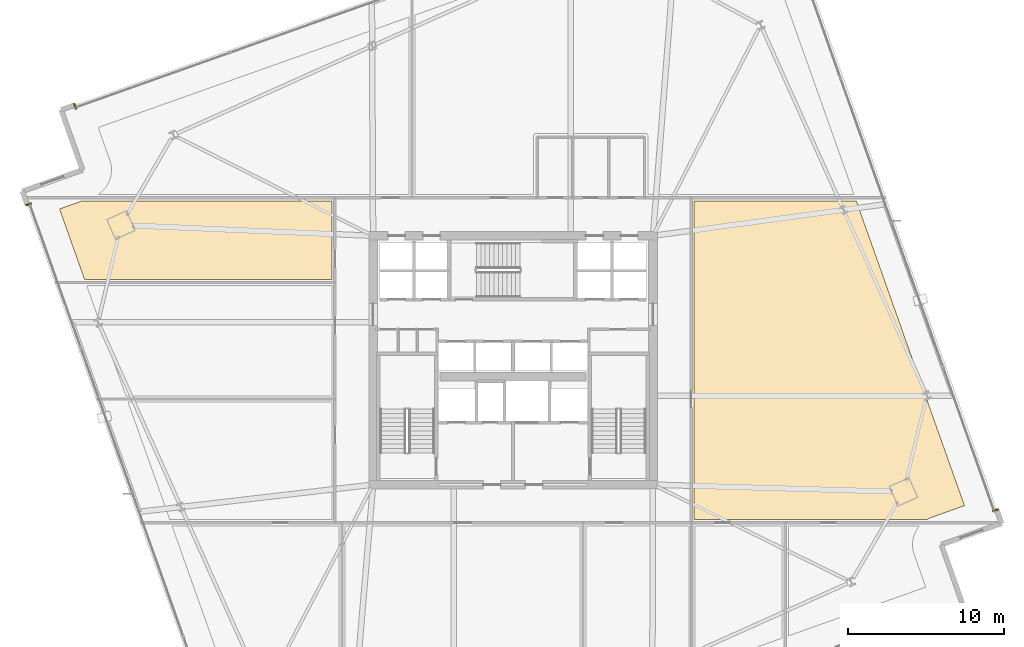
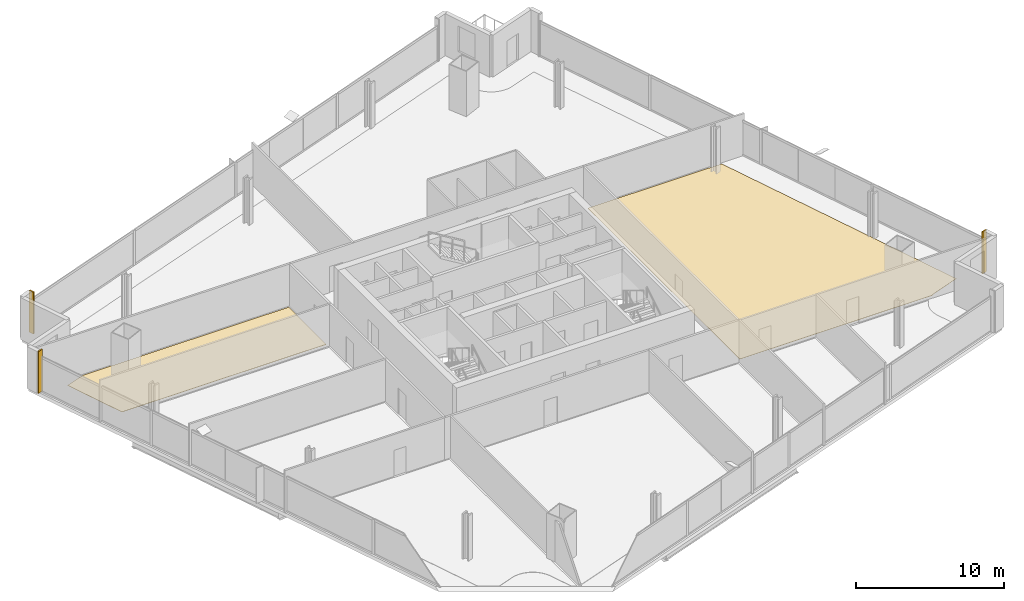
# One storey, part 31 of 33: 5 coverings.
"""IFC4 building model written with IfcOpenShell, lengths in metres."""

from ifc_helpers import new_model, si_unit, direction, frame, origin, origin_2d, place, context, subcontext, project, spatial, polyline, rectangle, outline, extrude, source, transform, mapped, material, layer, layer_set, type_object, element, save


model = new_model("IFC4")

# Units and contexts
model_context = context("Model", 3, precision=1e-05, world=origin(), true_north=direction((0.0, 1.0)))
body_context = subcontext(model_context, "Body", "Model", "MODEL_VIEW")
ifc_project = project(units=[si_unit("LENGTHUNIT", "METRE"), si_unit("AREAUNIT", "SQUARE_METRE"), si_unit("VOLUMEUNIT", "CUBIC_METRE"), si_unit("PLANEANGLEUNIT", "RADIAN"), si_unit("MASSUNIT", "GRAM", prefix="KILO")], contexts=[model_context])

# Site, building, storey
site_placement = place(None, origin())
site = spatial("IfcSite", under=ifc_project, at=site_placement, CompositionType="ELEMENT")
building_placement = place(site_placement, origin())
building = spatial("IfcBuilding", under=site, at=building_placement, Name="Haldenkirk Collegiate Tower", CompositionType="ELEMENT")
storey_placement = place(building_placement, frame((0.0, 0.0, 94.199951171875)))
storey = spatial("IfcBuildingStorey", under=building, at=storey_placement, Name="L22", CompositionType="ELEMENT", Elevation=94.199951171875)

# Coverings
ifc_material_1 = material(Name="Polished collegiate terrazzo", Category="concrete")
ifc_layer_1 = layer(ifc_material_1, 0.02490234375)
ifc_layer_set_1 = layer_set([ifc_layer_1], Name="Polished collegiate terrazzo")
covering_type_1 = type_object("IfcCoveringType", Name="COV-FLOOR-TERRAZZO", PredefinedType="FLOORING", material=ifc_layer_set_1)
covering_1_placement = place(storey_placement, origin())
element("IfcCovering", 1, at=covering_1_placement, inside=storey, type_object=covering_type_1, Name="L22 academic room finish 10", PredefinedType="FLOORING", context=body_context, shape_type="SweptSolid", body=[
    extrude(outline(polyline([(8.294921875, 36.25), (24.35009765625, 36.25), (24.35009765625, 31.199951171875), (8.441162109375, 31.199951171875), (6.832275390625, 35.730712890625), (8.294921875, 36.25)])), origin(), (0.0, 0.0, 1.0), 0.025146484375),
])
ifc_material_2 = material(Name="Engineered collegiate oak acoustic flooring", Category="wood")
ifc_layer_2 = layer(ifc_material_2, 0.02197265625)
ifc_layer_set_2 = layer_set([ifc_layer_2], Name="Engineered collegiate oak acoustic flooring")
covering_type_2 = type_object("IfcCoveringType", Name="COV-FLOOR-TIMBER", PredefinedType="FLOORING", material=ifc_layer_set_2)
covering_2_placement = place(storey_placement, origin())
element("IfcCovering", 2, at=covering_2_placement, inside=storey, type_object=covering_type_2, Name="L22 academic room finish 11", PredefinedType="FLOORING", context=body_context, shape_type="SweptSolid", body=[
    extrude(outline(polyline([(62.611083984375, 15.75), (47.64990234375, 15.75), (47.64990234375, 36.25), (58.072509765625, 36.25), (65.033935546875, 16.646240234375), (62.932373046875, 15.900146484375), (62.927001953125, 15.89794921875), (62.76806640625, 15.832763671875), (62.75732421875, 15.82763671875), (62.611083984375, 15.75)])), origin(), (0.0, 0.0, 1.0), 0.02197265625),
])
ifc_material_3 = material(Name="Anodised architectural bronze aluminium", Category="aluminium")
ifc_layer_3 = layer(ifc_material_3, 0.06005859375)
ifc_layer_set_3 = layer_set([ifc_layer_3], Name="Anodised architectural bronze aluminium")
covering_type_3 = type_object("IfcCoveringType", Name="COV-CLAD-BRONZE-60", PredefinedType="CLADDING", material=ifc_layer_set_3)
shared_shape = source(origin(), body_context, "Body", "SweptSolid", [
    extrude(rectangle(XDim=0.10009765625, YDim=0.3798828125, at=origin_2d()), origin(), (0.0, 0.0, 1.0), 3.449951171875),
])
for number, where, z_axis, x_axis, name in (
    (3, (67.025634765625, 16.356201171875, 0.0), (0.0, 0.0, 1.0), (0.334629341909, -0.94234983076, 0.0), "L22 recessed curtain-wall bronze jamb closure EJR"),
    (4, (7.842529296875, 42.3291015625, 0.0), (0.0, 0.0, 1.0), (0.94234983076, 0.334629341909, 0.0), "L22 recessed curtain-wall bronze jamb closure NJL"),
    (5, (4.840576171875, 36.020751953125, 0.0), (0.0, 0.0, 1.0), (-0.334629341909, 0.94234983076, 0.0), "L22 recessed curtain-wall bronze jamb closure WJR"),
):
    element("IfcCovering", number, at=place(storey_placement, frame(where, z_axis=z_axis, x_axis=x_axis)), inside=storey, type_object=covering_type_3, Name=name, PredefinedType="CLADDING", context=body_context, shape_type="MappedRepresentation", body=[
        mapped(shared_shape, transform((0.0, 0.0, 0.0), x_axis=(1.0, 0.0, 0.0), y_axis=(0.0, 1.0, 0.0), z_axis=(0.0, 0.0, 1.0), scale=1.0)),
    ])

save(model, "model.ifc")
